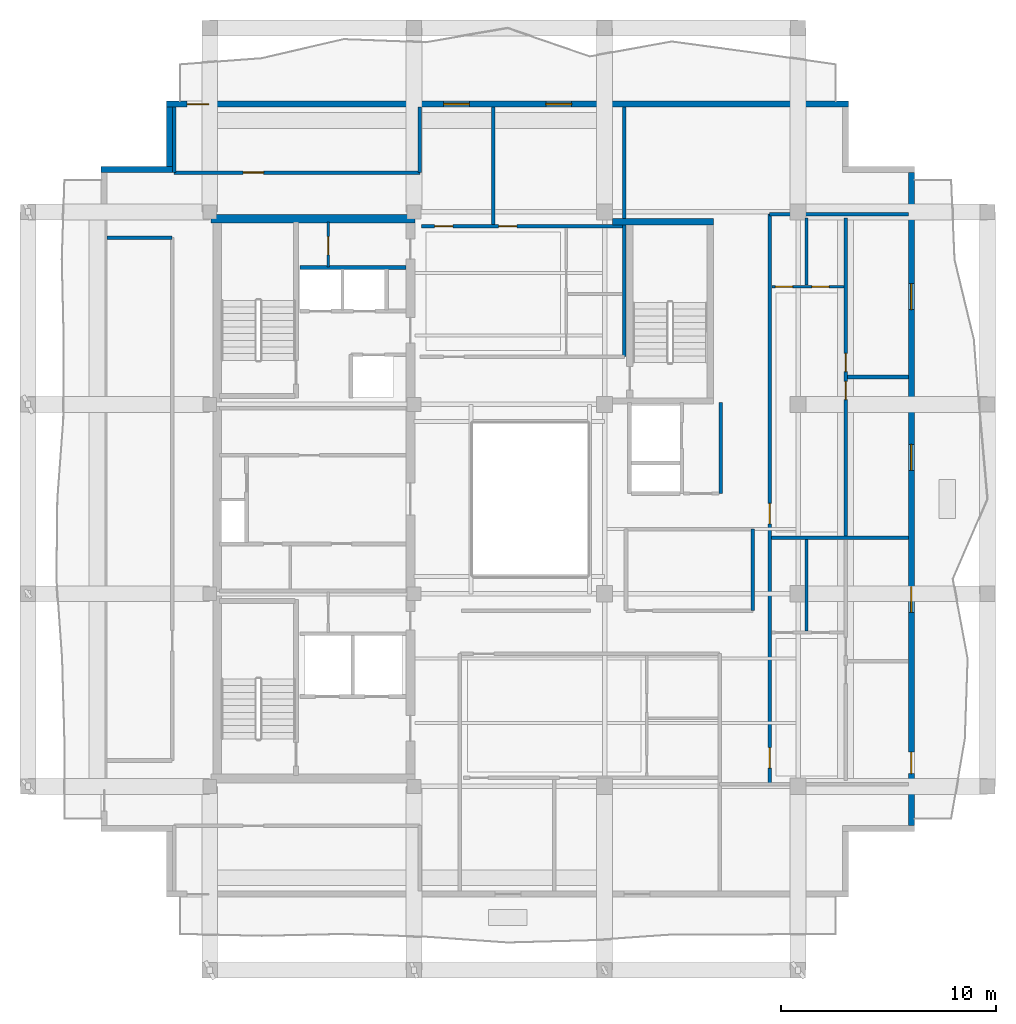
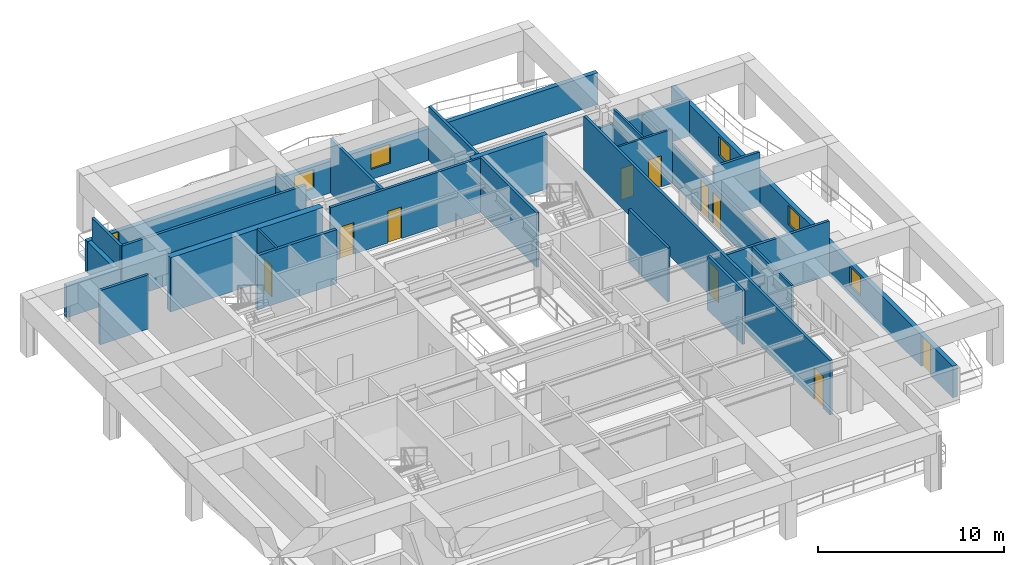
# One storey, part 5 of 10: 25 walls, 12 doors, 5 windows, 17 openings.
"""IFC4 building model written with IfcOpenShell, lengths in metres."""

from ifc_helpers import new_model, si_unit, direction, frame, frame_2d, origin, place, context, subcontext, project, spatial, rectangle, extrude, material, layer, layer_set, type_object, element, fill, save


model = new_model("IFC4")

# Units and contexts
model_context = context("Model", 3, precision=1e-05, world=origin(), true_north=direction((0.0, 1.0)))
body_context = subcontext(model_context, "Body", "Model", "MODEL_VIEW")
ifc_project = project(units=[si_unit("LENGTHUNIT", "METRE"), si_unit("AREAUNIT", "SQUARE_METRE"), si_unit("VOLUMEUNIT", "CUBIC_METRE"), si_unit("PLANEANGLEUNIT", "RADIAN"), si_unit("MASSUNIT", "GRAM", prefix="KILO")], contexts=[model_context])

# Site, building, storey
site_placement = place(None, origin())
site = spatial("IfcSite", under=ifc_project, at=site_placement, CompositionType="ELEMENT")
building_placement = place(site_placement, origin())
building = spatial("IfcBuilding", under=site, at=building_placement, Name="Kundavana Baori Tower", CompositionType="ELEMENT")
storey_placement = place(building_placement, frame((0.0, 0.0, 323.89990234375)))
storey = spatial("IfcBuildingStorey", under=building, at=storey_placement, Name="L80", CompositionType="ELEMENT", Elevation=323.89990234375)

# Wall
ifc_material_1 = material(Name="Concrete C50/60", Category="concrete")
ifc_layer_1 = layer(ifc_material_1, 0.39990234375, Name="WL-CORE-400")
ifc_layer_set_1 = layer_set([ifc_layer_1], Name="Concrete C50/60")
wall_type_1 = type_object("IfcWallType", Name="WL-CORE-400", PredefinedType="SHEAR", material=ifc_layer_set_1)
wall_1_placement = place(storey_placement, frame((15.5, 41.639892578125, 0.0), z_axis=(0.0, 0.0, 1.0), x_axis=(1.0, 0.0, 0.0)))
element("IfcWall", 1, at=wall_1_placement, inside=storey, type_object=wall_type_1, Name="L80 Offset Core North Shear Wall", PredefinedType="SHEAR", context=body_context, shape_type="SweptSolid", body=[
    extrude(rectangle(XDim=9.47998046875, YDim=0.39990234375, at=frame_2d((4.739990234375, 0.0))), origin(), (0.0, 0.0, 1.0), 3.56005859375),
])

# Wall, openings, door, windows
ifc_material_2 = material(Name="Red-Buff Dholpur Sandstone Cladding on Concrete C40/50", Category="masonry")
ifc_layer_2 = layer(ifc_material_2, 0.280029296875, Name="WL-EXT-SAND-280")
ifc_layer_set_2 = layer_set([ifc_layer_2], Name="Red-Buff Dholpur Sandstone Cladding on Concrete C40/50")
wall_type_2 = type_object("IfcWallType", Name="WL-EXT-SAND-280", PredefinedType="STANDARD", material=ifc_layer_set_2)
wall_2_placement = place(storey_placement, frame((48.06005859375, 13.429931640625, 0.0), z_axis=(0.0, 0.0, 1.0), x_axis=(0.0, 1.0, 0.0)))
wall_2 = element("IfcWall", 2, at=wall_2_placement, inside=storey, type_object=wall_type_2, Name="L80 Exterior Insulated Facade Wall 04", PredefinedType="STANDARD", context=body_context, shape_type="SweptSolid", body=[
    extrude(rectangle(XDim=30.340087890625, YDim=0.280029296875, at=frame_2d((15.169921875, 0.0))), origin(), (0.0, 0.0, 1.0), 2.080078125),
])
opening_1_placement = place(wall_2_placement, frame((2.409912109375, 0.0, 0.0)))
opening_1 = element("IfcOpeningElement", 3, at=opening_1_placement, cuts=wall_2, Name="Opening BD-1", PredefinedType="OPENING", context=body_context, shape_type="SweptSolid", body=[
    extrude(rectangle(XDim=1.0, YDim=2.050048828125, at=frame_2d((0.5, 1.02490234375))), frame((0.0, 0.14990234375, 0.0), z_axis=(0.0, -1.0, 0.0), x_axis=(1.0, 0.0, 0.0)), (0.0, 0.0, 1.0), 0.300048828125),
])
opening_2_placement = place(wall_2_placement, frame((9.905029296875, 0.0, 0.64990234375)))
opening_2 = element("IfcOpeningElement", 4, at=opening_2_placement, cuts=wall_2, Name="Opening W-12", PredefinedType="OPENING", context=body_context, shape_type="SweptSolid", body=[
    extrude(rectangle(XDim=1.199951171875, YDim=1.25, at=frame_2d((0.60009765625, 0.625))), frame((0.0, 0.14990234375, 0.0), z_axis=(0.0, -1.0, 0.0), x_axis=(1.0, 0.0, 0.0)), (0.0, 0.0, 1.0), 0.300048828125),
])
opening_3_placement = place(wall_2_placement, frame((16.508056640625, 0.0, 0.64990234375)))
opening_3 = element("IfcOpeningElement", 5, at=opening_3_placement, cuts=wall_2, Name="Opening W-12", PredefinedType="OPENING", context=body_context, shape_type="SweptSolid", body=[
    extrude(rectangle(XDim=1.199951171875, YDim=1.25, at=frame_2d((0.60009765625, 0.625))), frame((0.0, 0.14990234375, 0.0), z_axis=(0.0, -1.0, 0.0), x_axis=(1.0, 0.0, 0.0)), (0.0, 0.0, 1.0), 0.300048828125),
])
opening_4_placement = place(wall_2_placement, frame((23.98291015625, 0.0, 0.64990234375)))
opening_4 = element("IfcOpeningElement", 6, at=opening_4_placement, cuts=wall_2, Name="Opening W-12", PredefinedType="OPENING", context=body_context, shape_type="SweptSolid", body=[
    extrude(rectangle(XDim=1.199951171875, YDim=1.25, at=frame_2d((0.60009765625, 0.625))), frame((0.0, 0.14990234375, 0.0), z_axis=(0.0, -1.0, 0.0), x_axis=(1.0, 0.0, 0.0)), (0.0, 0.0, 1.0), 0.300048828125),
])
ifc_material_3 = material(Name="Architectural Patinated Bronze Metalwork")
door_type_1 = type_object("IfcDoorType", Name="DR-EXT-LOG-1000", OperationType="NOTDEFINED", PredefinedType="DOOR", material=ifc_material_3)
door_1_placement = place(opening_1_placement, frame((1.0, 0.0, 0.0), z_axis=(0.0, 0.0, 1.0), x_axis=(-1.0, 0.0, 0.0)))
door_1 = element("IfcDoor", 7, at=door_1_placement, inside=storey, type_object=door_type_1, Name="L80 Loggia Balcony Access Door E", OperationType="SINGLE_SWING_RIGHT", OverallHeight=2.050048828125, OverallWidth=1.0, PredefinedType="DOOR", context=body_context, shape_type="SweptSolid", body=[
    extrude(rectangle(XDim=1.0, YDim=2.050048828125, at=frame_2d((0.5, 1.02490234375))), frame((0.0, 0.02490234375, 0.0), z_axis=(0.0, -1.0, 0.0), x_axis=(1.0, 0.0, 0.0)), (0.0, 0.0, 1.0), 0.050048828125),
])
fill(opening_1, door_1)
ifc_material_4 = material(Name="Double-Glazed Solar-Control Low-E Insulated Glass", Category="glass")
window_type = type_object("IfcWindowType", Name="WIN-TRN-1200x1250", PartitioningType="SINGLE_PANEL", PredefinedType="WINDOW", material=ifc_material_4)
window_1_placement = place(opening_2_placement, origin())
window_1 = element("IfcWindow", 8, at=window_1_placement, inside=storey, type_object=window_type, Name="L80 Dwelling Outlook Window DW-5", OverallHeight=1.25, OverallWidth=1.199951171875, PartitioningType="SINGLE_PANEL", PredefinedType="WINDOW", context=body_context, shape_type="SweptSolid", body=[
    extrude(rectangle(XDim=1.199951171875, YDim=1.25, at=frame_2d((0.60009765625, 0.625))), frame((0.0, 0.030029296875, 0.0), z_axis=(0.0, -1.0, 0.0), x_axis=(1.0, 0.0, 0.0)), (0.0, 0.0, 1.0), 0.06005859375),
])
fill(opening_2, window_1)
window_2_placement = place(opening_3_placement, origin())
window_2 = element("IfcWindow", 9, at=window_2_placement, inside=storey, type_object=window_type, Name="L80 Dwelling Outlook Window DW-6", OverallHeight=1.25, OverallWidth=1.199951171875, PartitioningType="SINGLE_PANEL", PredefinedType="WINDOW", context=body_context, shape_type="SweptSolid", body=[
    extrude(rectangle(XDim=1.199951171875, YDim=1.25, at=frame_2d((0.60009765625, 0.625))), frame((0.0, 0.030029296875, 0.0), z_axis=(0.0, -1.0, 0.0), x_axis=(1.0, 0.0, 0.0)), (0.0, 0.0, 1.0), 0.06005859375),
])
fill(opening_3, window_2)
window_3_placement = place(opening_4_placement, origin())
window_3 = element("IfcWindow", 10, at=window_3_placement, inside=storey, type_object=window_type, Name="L80 Dwelling Outlook Window DW-7", OverallHeight=1.25, OverallWidth=1.199951171875, PartitioningType="SINGLE_PANEL", PredefinedType="WINDOW", context=body_context, shape_type="SweptSolid", body=[
    extrude(rectangle(XDim=1.199951171875, YDim=1.25, at=frame_2d((0.60009765625, 0.625))), frame((0.0, 0.030029296875, 0.0), z_axis=(0.0, -1.0, 0.0), x_axis=(1.0, 0.0, 0.0)), (0.0, 0.0, 1.0), 0.06005859375),
])
fill(opening_4, window_3)

wall_3_placement = place(storey_placement, frame((45.14990234375, 46.9599609375, 0.0), z_axis=(0.0, 0.0, 1.0), x_axis=(-1.0, 0.0, 0.0)))
wall_3 = element("IfcWall", 11, at=wall_3_placement, inside=storey, type_object=wall_type_2, Name="L80 Exterior Insulated Facade Wall 07", PredefinedType="STANDARD", context=body_context, shape_type="SweptSolid", body=[
    extrude(rectangle(XDim=31.699951171875, YDim=0.280029296875, at=frame_2d((15.85009765625, 0.0))), origin(), (0.0, 0.0, 1.0), 2.080078125),
])
opening_5_placement = place(wall_3_placement, frame((29.75, 0.0, 0.0)))
opening_5 = element("IfcOpeningElement", 12, at=opening_5_placement, cuts=wall_3, Name="Opening BD-1", PredefinedType="OPENING", context=body_context, shape_type="SweptSolid", body=[
    extrude(rectangle(XDim=1.0, YDim=2.050048828125, at=frame_2d((0.5, 1.02490234375))), frame((0.0, 0.14990234375, 0.0), z_axis=(0.0, -1.0, 0.0), x_axis=(1.0, 0.0, 0.0)), (0.0, 0.0, 1.0), 0.300048828125),
])
opening_6_placement = place(wall_3_placement, frame((17.6279296875, 0.0, 0.64990234375)))
opening_6 = element("IfcOpeningElement", 13, at=opening_6_placement, cuts=wall_3, Name="Opening W-12", PredefinedType="OPENING", context=body_context, shape_type="SweptSolid", body=[
    extrude(rectangle(XDim=1.199951171875, YDim=1.25, at=frame_2d((0.60009765625, 0.625))), frame((0.0, 0.14990234375, 0.0), z_axis=(0.0, -1.0, 0.0), x_axis=(1.0, 0.0, 0.0)), (0.0, 0.0, 1.0), 0.300048828125),
])
opening_7_placement = place(wall_3_placement, frame((12.8779296875, 0.0, 0.64990234375)))
opening_7 = element("IfcOpeningElement", 14, at=opening_7_placement, cuts=wall_3, Name="Opening W-12", PredefinedType="OPENING", context=body_context, shape_type="SweptSolid", body=[
    extrude(rectangle(XDim=1.199951171875, YDim=1.25, at=frame_2d((0.60009765625, 0.625))), frame((0.0, 0.14990234375, 0.0), z_axis=(0.0, -1.0, 0.0), x_axis=(1.0, 0.0, 0.0)), (0.0, 0.0, 1.0), 0.300048828125),
])
door_2_placement = place(opening_5_placement, frame((1.0, 0.0, 0.0), z_axis=(0.0, 0.0, 1.0), x_axis=(-1.0, 0.0, 0.0)))
door_2 = element("IfcDoor", 15, at=door_2_placement, inside=storey, type_object=door_type_1, Name="L80 Loggia Balcony Access Door N", OperationType="SINGLE_SWING_LEFT", OverallHeight=2.050048828125, OverallWidth=1.0, PredefinedType="DOOR", context=body_context, shape_type="SweptSolid", body=[
    extrude(rectangle(XDim=1.0, YDim=2.050048828125, at=frame_2d((0.5, 1.02490234375))), frame((0.0, 0.02490234375, 0.0), z_axis=(0.0, -1.0, 0.0), x_axis=(1.0, 0.0, 0.0)), (0.0, 0.0, 1.0), 0.050048828125),
])
fill(opening_5, door_2)
window_4_placement = place(opening_6_placement, origin())
window_4 = element("IfcWindow", 16, at=window_4_placement, inside=storey, type_object=window_type, Name="L80 Dwelling Outlook Window DW-3", OverallHeight=1.25, OverallWidth=1.199951171875, PartitioningType="SINGLE_PANEL", PredefinedType="WINDOW", context=body_context, shape_type="SweptSolid", body=[
    extrude(rectangle(XDim=1.199951171875, YDim=1.25, at=frame_2d((0.60009765625, 0.625))), frame((0.0, 0.030029296875, 0.0), z_axis=(0.0, -1.0, 0.0), x_axis=(1.0, 0.0, 0.0)), (0.0, 0.0, 1.0), 0.06005859375),
])
fill(opening_6, window_4)
window_5_placement = place(opening_7_placement, origin())
window_5 = element("IfcWindow", 17, at=window_5_placement, inside=storey, type_object=window_type, Name="L80 Dwelling Outlook Window DW-4", OverallHeight=1.25, OverallWidth=1.199951171875, PartitioningType="SINGLE_PANEL", PredefinedType="WINDOW", context=body_context, shape_type="SweptSolid", body=[
    extrude(rectangle(XDim=1.199951171875, YDim=1.25, at=frame_2d((0.60009765625, 0.625))), frame((0.0, 0.030029296875, 0.0), z_axis=(0.0, -1.0, 0.0), x_axis=(1.0, 0.0, 0.0)), (0.0, 0.0, 1.0), 0.06005859375),
])
fill(opening_7, window_5)

# Walls
wall_4_placement = place(storey_placement, frame((13.590087890625, 46.820068359375, 0.0), z_axis=(0.0, 0.0, 1.0), x_axis=(0.0, -1.0, 0.0)))
element("IfcWall", 18, at=wall_4_placement, inside=storey, type_object=wall_type_2, Name="L80 Exterior Insulated Facade Wall 08", PredefinedType="STANDARD", context=body_context, shape_type="SweptSolid", body=[
    extrude(rectangle(XDim=2.77001953125, YDim=0.280029296875, at=frame_2d((1.385009765625, 0.0))), origin(), (0.0, 0.0, 1.0), 2.080078125),
])
wall_5_placement = place(storey_placement, frame((13.72998046875, 43.909912109375, 0.0), z_axis=(0.0, 0.0, 1.0), x_axis=(-1.0, 0.0, 0.0)))
element("IfcWall", 19, at=wall_5_placement, inside=storey, type_object=wall_type_2, Name="L80 Exterior Insulated Facade Wall 09", PredefinedType="STANDARD", context=body_context, shape_type="SweptSolid", body=[
    extrude(rectangle(XDim=3.330078125, YDim=0.280029296875, at=frame_2d((1.6650390625, 0.0))), origin(), (0.0, 0.0, 1.0), 2.080078125),
])

# Wall, opening, door
ifc_material_5 = material(Name="Acoustic Gypsum Plasterboard on Galvanised Steel Studs", Category="steel")
ifc_layer_3 = layer(ifc_material_5, 0.1201171875, Name="WL-PART-120")
ifc_layer_set_3 = layer_set([ifc_layer_3], Name="Acoustic Gypsum Plasterboard on Galvanised Steel Studs")
wall_type_3 = type_object("IfcWallType", Name="WL-PART-120", PredefinedType="PARTITIONING", material=ifc_layer_set_3)
wall_6_placement = place(storey_placement, frame((20.949951171875, 39.39990234375, 0.0), z_axis=(0.0, 0.0, 1.0), x_axis=(0.0, 1.0, 0.0)))
wall_6 = element("IfcWall", 20, at=wall_6_placement, inside=storey, type_object=wall_type_3, Name="WL-L80-CSRV-D2", PredefinedType="PARTITIONING", context=body_context, shape_type="SweptSolid", body=[
    extrude(rectangle(XDim=2.080078125, YDim=0.1201171875, at=frame_2d((1.0400390625, 0.0))), origin(), (0.0, 0.0, 1.0), 3.56005859375),
])
opening_8_placement = place(wall_6_placement, frame((0.550048828125, 0.0, 0.0)))
opening_8 = element("IfcOpeningElement", 21, at=opening_8_placement, cuts=wall_6, Name="Opening FD-085", PredefinedType="OPENING", context=body_context, shape_type="SweptSolid", body=[
    extrude(rectangle(XDim=0.85009765625, YDim=2.06005859375, at=frame_2d((0.425048828125, 1.030029296875))), frame((0.0, 0.070068359375, 0.0), z_axis=(0.0, -1.0, 0.0), x_axis=(1.0, 0.0, 0.0)), (0.0, 0.0, 1.0), 0.14013671875),
])
ifc_material_6 = material(Name="Galvanised Steel Fire-Rated Door Leaf", Category="steel")
door_type_2 = type_object("IfcDoorType", Name="DR-FD60-850", OperationType="NOTDEFINED", PredefinedType="DOOR", material=ifc_material_6)
door_3_placement = place(opening_8_placement, origin())
door_3 = element("IfcDoor", 22, at=door_3_placement, inside=storey, type_object=door_type_2, Name="DR-L80-CSRV1", OperationType="SINGLE_SWING_RIGHT", OverallHeight=2.06005859375, OverallWidth=0.85009765625, PredefinedType="DOOR", context=body_context, shape_type="SweptSolid", body=[
    extrude(rectangle(XDim=0.85009765625, YDim=2.06005859375, at=frame_2d((0.425048828125, 1.030029296875))), frame((0.0, 0.02490234375, 0.0), z_axis=(0.0, -1.0, 0.0), x_axis=(1.0, 0.0, 0.0)), (0.0, 0.0, 1.0), 0.050048828125),
])
fill(opening_8, door_3)

# Wall
ifc_material_7 = material(Name="Fire-Rated Gypsum Drywall on Galvanised Steel Studs", Category="steel")
ifc_layer_4 = layer(ifc_material_7, 0.14990234375, Name="WL-PART-150")
ifc_layer_set_4 = layer_set([ifc_layer_4], Name="Fire-Rated Gypsum Drywall on Galvanised Steel Studs")
wall_type_4 = type_object("IfcWallType", Name="WL-PART-150", PredefinedType="PARTITIONING", material=ifc_layer_set_4)
wall_7_placement = place(storey_placement, frame((39.199951171875, 28.860107421875, 0.0), z_axis=(0.0, 0.0, 1.0), x_axis=(0.0, 1.0, 0.0)))
element("IfcWall", 23, at=wall_7_placement, inside=storey, type_object=wall_type_4, Name="WL-L80-SVLOB-E", PredefinedType="PARTITIONING", context=body_context, shape_type="SweptSolid", body=[
    extrude(rectangle(XDim=4.219970703125, YDim=0.14990234375, at=frame_2d((2.10986328125, 0.0))), origin(), (0.0, 0.0, 1.0), 3.56005859375),
])

# Wall, opening, door
ifc_material_8 = material(Name="Fire-Rated Gypsum Drywall on Galvanised Steel Studs", Category="steel")
ifc_layer_5 = layer(ifc_material_8, 0.1650390625, Name="WL-PART-165")
ifc_layer_set_5 = layer_set([ifc_layer_5], Name="Fire-Rated Gypsum Drywall on Galvanised Steel Studs")
wall_type_5 = type_object("IfcWallType", Name="WL-PART-165", PredefinedType="PARTITIONING", material=ifc_layer_set_5)
wall_8_placement = place(storey_placement, frame((13.800048828125, 43.780029296875, 0.0), z_axis=(0.0, 0.0, 1.0), x_axis=(1.0, 0.0, 0.0)))
wall_8 = element("IfcWall", 24, at=wall_8_placement, inside=storey, type_object=wall_type_5, Name="WL-L80-RNC", PredefinedType="PARTITIONING", context=body_context, shape_type="SweptSolid", body=[
    extrude(rectangle(XDim=11.419921875, YDim=0.1650390625, at=frame_2d((5.7099609375, 0.0))), origin(), (0.0, 0.0, 1.0), 3.56005859375),
])
opening_9_placement = place(wall_8_placement, frame((3.199951171875, 0.0, 0.0)))
opening_9 = element("IfcOpeningElement", 25, at=opening_9_placement, cuts=wall_8, Name="Opening ID-095", PredefinedType="OPENING", context=body_context, shape_type="SweptSolid", body=[
    extrude(rectangle(XDim=0.949951171875, YDim=2.080078125, at=frame_2d((0.47509765625, 1.0400390625))), frame((0.0, 0.092529296875, 0.0), z_axis=(0.0, -1.0, 0.0), x_axis=(1.0, 0.0, 0.0)), (0.0, 0.0, 1.0), 0.18505859375),
])
ifc_material_9 = material(Name="Engineered Teak Solid-Core Timber Veneer", Category="wood")
door_type_3 = type_object("IfcDoorType", Name="DR-INT-950", OperationType="NOTDEFINED", PredefinedType="DOOR", material=ifc_material_9)
door_4_placement = place(opening_9_placement, origin())
door_4 = element("IfcDoor", 26, at=door_4_placement, inside=storey, type_object=door_type_3, Name="DR-L80-RMNW", OperationType="SINGLE_SWING_RIGHT", OverallHeight=2.080078125, OverallWidth=0.949951171875, PredefinedType="DOOR", context=body_context, shape_type="SweptSolid", body=[
    extrude(rectangle(XDim=0.949951171875, YDim=2.080078125, at=frame_2d((0.47509765625, 1.0400390625))), frame((0.0, 0.02490234375, 0.0), z_axis=(0.0, -1.0, 0.0), x_axis=(1.0, 0.0, 0.0)), (0.0, 0.0, 1.0), 0.050048828125),
])
fill(opening_9, door_4)

# Walls
wall_9_placement = place(storey_placement, frame((13.800048828125, 43.780029296875, 0.0), z_axis=(0.0, 0.0, 1.0), x_axis=(0.0, 1.0, 0.0)))
element("IfcWall", 27, at=wall_9_placement, inside=storey, type_object=wall_type_5, Name="WL-L80-RNCW", PredefinedType="PARTITIONING", context=body_context, shape_type="SweptSolid", body=[
    extrude(rectangle(XDim=3.0400390625, YDim=0.1650390625, at=frame_2d((1.52001953125, 0.0))), origin(), (0.0, 0.0, 1.0), 3.56005859375),
])
wall_10_placement = place(storey_placement, frame((25.219970703125, 43.780029296875, 0.0), z_axis=(0.0, 0.0, 1.0), x_axis=(0.0, 1.0, 0.0)))
element("IfcWall", 28, at=wall_10_placement, inside=storey, type_object=wall_type_5, Name="WL-L80-RNCE", PredefinedType="PARTITIONING", context=body_context, shape_type="SweptSolid", body=[
    extrude(rectangle(XDim=3.0400390625, YDim=0.1650390625, at=frame_2d((1.52001953125, 0.0))), origin(), (0.0, 0.0, 1.0), 2.47998046875),
])
wall_11_placement = place(storey_placement, frame((10.679931640625, 40.75, 0.0), z_axis=(0.0, 0.0, 1.0), x_axis=(1.0, 0.0, 0.0)))
element("IfcWall", 29, at=wall_11_placement, inside=storey, type_object=wall_type_5, Name="WL-L80-RWN", PredefinedType="PARTITIONING", context=body_context, shape_type="SweptSolid", body=[
    extrude(rectangle(XDim=3.02001953125, YDim=0.1650390625, at=frame_2d((1.510009765625, 0.0))), origin(), (0.0, 0.0, 1.0), 3.56005859375),
])
wall_12_placement = place(storey_placement, frame((34.719970703125, 35.219970703125, 0.0), z_axis=(0.0, 0.0, 1.0), x_axis=(0.0, 1.0, 0.0)))
element("IfcWall", 30, at=wall_12_placement, inside=storey, type_object=wall_type_5, Name="WL-L80-RNEND", PredefinedType="PARTITIONING", context=body_context, shape_type="SweptSolid", body=[
    extrude(rectangle(XDim=11.60009765625, YDim=0.1650390625, at=frame_2d((5.800048828125, 0.0))), origin(), (0.0, 0.0, 1.0), 3.56005859375),
])

# Wall, openings, doors
wall_13_placement = place(storey_placement, frame((25.300048828125, 41.2900390625, 0.0), z_axis=(0.0, 0.0, 1.0), x_axis=(1.0, 0.0, 0.0)))
wall_13 = element("IfcWall", 31, at=wall_13_placement, inside=storey, type_object=wall_type_5, Name="WL-L80-N1-HZ", PredefinedType="PARTITIONING", context=body_context, shape_type="SweptSolid", body=[
    extrude(rectangle(XDim=9.33984375, YDim=0.1650390625, at=frame_2d((4.669921875, 0.0))), origin(), (0.0, 0.0, 1.0), 3.56005859375),
])
opening_10_placement = place(wall_13_placement, frame((0.60009765625, 0.0, 0.0)))
opening_10 = element("IfcOpeningElement", 32, at=opening_10_placement, cuts=wall_13, Name="Opening ID-085", PredefinedType="OPENING", context=body_context, shape_type="SweptSolid", body=[
    extrude(rectangle(XDim=0.85009765625, YDim=2.080078125, at=frame_2d((0.425048828125, 1.0400390625))), frame((0.0, 0.092529296875, 0.0), z_axis=(0.0, -1.0, 0.0), x_axis=(1.0, 0.0, 0.0)), (0.0, 0.0, 1.0), 0.18505859375),
])
opening_11_placement = place(wall_13_placement, frame((3.572998046875, 0.0, 0.0)))
opening_11 = element("IfcOpeningElement", 33, at=opening_11_placement, cuts=wall_13, Name="Opening ID-085", PredefinedType="OPENING", context=body_context, shape_type="SweptSolid", body=[
    extrude(rectangle(XDim=0.85009765625, YDim=2.080078125, at=frame_2d((0.425048828125, 1.0400390625))), frame((0.0, 0.092529296875, 0.0), z_axis=(0.0, -1.0, 0.0), x_axis=(1.0, 0.0, 0.0)), (0.0, 0.0, 1.0), 0.18505859375),
])
ifc_material_10 = material(Name="Engineered Teak Solid-Core Timber Veneer", Category="wood")
door_type_4 = type_object("IfcDoorType", Name="DR-INT-850", OperationType="NOTDEFINED", PredefinedType="DOOR", material=ifc_material_10)
door_5_placement = place(opening_10_placement, origin())
door_5 = element("IfcDoor", 34, at=door_5_placement, inside=storey, type_object=door_type_4, Name="DR-L80-N1-B1", OperationType="SINGLE_SWING_LEFT", OverallHeight=2.080078125, OverallWidth=0.85009765625, PredefinedType="DOOR", context=body_context, shape_type="SweptSolid", body=[
    extrude(rectangle(XDim=0.85009765625, YDim=2.080078125, at=frame_2d((0.425048828125, 1.0400390625))), frame((0.0, 0.02490234375, 0.0), z_axis=(0.0, -1.0, 0.0), x_axis=(1.0, 0.0, 0.0)), (0.0, 0.0, 1.0), 0.050048828125),
])
fill(opening_10, door_5)
door_6_placement = place(opening_11_placement, origin())
door_6 = element("IfcDoor", 35, at=door_6_placement, inside=storey, type_object=door_type_4, Name="DR-L80-N1-B2", OperationType="SINGLE_SWING_RIGHT", OverallHeight=2.080078125, OverallWidth=0.85009765625, PredefinedType="DOOR", context=body_context, shape_type="SweptSolid", body=[
    extrude(rectangle(XDim=0.85009765625, YDim=2.080078125, at=frame_2d((0.425048828125, 1.0400390625))), frame((0.0, 0.02490234375, 0.0), z_axis=(0.0, -1.0, 0.0), x_axis=(1.0, 0.0, 0.0)), (0.0, 0.0, 1.0), 0.050048828125),
])
fill(opening_11, door_6)

# Wall
wall_14_placement = place(storey_placement, frame((28.623046875, 41.3701171875, 0.0), z_axis=(0.0, 0.0, 1.0), x_axis=(0.0, 1.0, 0.0)))
element("IfcWall", 36, at=wall_14_placement, inside=storey, type_object=wall_type_5, Name="WL-L80-N1-BDV", PredefinedType="PARTITIONING", context=body_context, shape_type="SweptSolid", body=[
    extrude(rectangle(XDim=5.449951171875, YDim=0.1650390625, at=frame_2d((2.72509765625, 0.0))), origin(), (0.0, 0.0, 1.0), 3.56005859375),
])

# Wall, openings, doors
wall_15_placement = place(storey_placement, frame((41.47998046875, 15.35009765625, 0.0), z_axis=(0.0, 0.0, 1.0), x_axis=(0.0, 1.0, 0.0)))
wall_15 = element("IfcWall", 37, at=wall_15_placement, inside=storey, type_object=wall_type_5, Name="WL-L80-RE", PredefinedType="PARTITIONING", context=body_context, shape_type="SweptSolid", body=[
    extrude(rectangle(XDim=26.5, YDim=0.1650390625, at=frame_2d((13.25, 0.0))), origin(), (0.0, 0.0, 1.0), 3.56005859375),
])
opening_12_placement = place(wall_15_placement, frame((0.75, 0.0, 0.0)))
opening_12 = element("IfcOpeningElement", 38, at=opening_12_placement, cuts=wall_15, Name="Opening FD-095", PredefinedType="OPENING", context=body_context, shape_type="SweptSolid", body=[
    extrude(rectangle(XDim=0.949951171875, YDim=2.10009765625, at=frame_2d((0.47509765625, 1.050048828125))), frame((0.0, 0.092529296875, 0.0), z_axis=(0.0, -1.0, 0.0), x_axis=(1.0, 0.0, 0.0)), (0.0, 0.0, 1.0), 0.18505859375),
])
opening_13_placement = place(wall_15_placement, frame((12.10009765625, 0.0, 0.0)))
opening_13 = element("IfcOpeningElement", 39, at=opening_13_placement, cuts=wall_15, Name="Opening FD-095", PredefinedType="OPENING", context=body_context, shape_type="SweptSolid", body=[
    extrude(rectangle(XDim=0.949951171875, YDim=2.10009765625, at=frame_2d((0.47509765625, 1.050048828125))), frame((0.0, 0.092529296875, 0.0), z_axis=(0.0, -1.0, 0.0), x_axis=(1.0, 0.0, 0.0)), (0.0, 0.0, 1.0), 0.18505859375),
])
ifc_material_11 = material(Name="Engineered Teak Fire-Rated Timber Door Leaf", Category="wood")
door_type_5 = type_object("IfcDoorType", Name="DR-FD60-950", OperationType="NOTDEFINED", PredefinedType="DOOR", material=ifc_material_11)
door_7_placement = place(opening_12_placement, origin())
door_7 = element("IfcDoor", 40, at=door_7_placement, inside=storey, type_object=door_type_5, Name="DR-L80-E1-ENT", OperationType="SINGLE_SWING_LEFT", OverallHeight=2.10009765625, OverallWidth=0.949951171875, PredefinedType="DOOR", context=body_context, shape_type="SweptSolid", body=[
    extrude(rectangle(XDim=0.949951171875, YDim=2.10009765625, at=frame_2d((0.47509765625, 1.050048828125))), frame((0.0, 0.02490234375, 0.0), z_axis=(0.0, -1.0, 0.0), x_axis=(1.0, 0.0, 0.0)), (0.0, 0.0, 1.0), 0.050048828125),
])
fill(opening_12, door_7)
door_8_placement = place(opening_13_placement, origin())
door_8 = element("IfcDoor", 41, at=door_8_placement, inside=storey, type_object=door_type_5, Name="DR-L80-E2-ENT", OperationType="SINGLE_SWING_LEFT", OverallHeight=2.10009765625, OverallWidth=0.949951171875, PredefinedType="DOOR", context=body_context, shape_type="SweptSolid", body=[
    extrude(rectangle(XDim=0.949951171875, YDim=2.10009765625, at=frame_2d((0.47509765625, 1.050048828125))), frame((0.0, 0.02490234375, 0.0), z_axis=(0.0, -1.0, 0.0), x_axis=(1.0, 0.0, 0.0)), (0.0, 0.0, 1.0), 0.050048828125),
])
fill(opening_13, door_8)

# Walls
wall_16_placement = place(storey_placement, frame((41.47998046875, 41.85009765625, 0.0), z_axis=(0.0, 0.0, 1.0), x_axis=(1.0, 0.0, 0.0)))
element("IfcWall", 42, at=wall_16_placement, inside=storey, type_object=wall_type_5, Name="WL-L80-REN", PredefinedType="PARTITIONING", context=body_context, shape_type="SweptSolid", body=[
    extrude(rectangle(XDim=6.43994140625, YDim=0.1650390625, at=frame_2d((3.219970703125, 0.0))), origin(), (0.0, 0.0, 1.0), 2.47998046875),
])
wall_17_placement = place(storey_placement, frame((41.56005859375, 26.800048828125, 0.0), z_axis=(0.0, 0.0, 1.0), x_axis=(1.0, 0.0, 0.0)))
element("IfcWall", 43, at=wall_17_placement, inside=storey, type_object=wall_type_5, Name="WL-L80-RED1", PredefinedType="PARTITIONING", context=body_context, shape_type="SweptSolid", body=[
    extrude(rectangle(XDim=6.35986328125, YDim=0.1650390625, at=frame_2d((3.179931640625, 0.0))), origin(), (0.0, 0.0, 1.0), 3.56005859375),
])

# Wall, openings, doors
wall_18_placement = place(storey_placement, frame((45.00390625, 26.8798828125, 0.0), z_axis=(0.0, 0.0, 1.0), x_axis=(0.0, 1.0, 0.0)))
wall_18 = element("IfcWall", 44, at=wall_18_placement, inside=storey, type_object=wall_type_5, Name="WL-L80-E2-VT", PredefinedType="PARTITIONING", context=body_context, shape_type="SweptSolid", body=[
    extrude(rectangle(XDim=14.7900390625, YDim=0.1650390625, at=frame_2d((7.39501953125, 0.0))), origin(), (0.0, 0.0, 1.0), 2.47998046875),
])
opening_14_placement = place(wall_18_placement, frame((6.344970703125, 0.0, 0.0)))
opening_14 = element("IfcOpeningElement", 45, at=opening_14_placement, cuts=wall_18, Name="Opening ID-085", PredefinedType="OPENING", context=body_context, shape_type="SweptSolid", body=[
    extrude(rectangle(XDim=0.85009765625, YDim=2.080078125, at=frame_2d((0.425048828125, 1.0400390625))), frame((0.0, 0.092529296875, 0.0), z_axis=(0.0, -1.0, 0.0), x_axis=(1.0, 0.0, 0.0)), (0.0, 0.0, 1.0), 0.18505859375),
])
opening_15_placement = place(wall_18_placement, frame((7.64501953125, 0.0, 0.0)))
opening_15 = element("IfcOpeningElement", 46, at=opening_15_placement, cuts=wall_18, Name="Opening ID-085", PredefinedType="OPENING", context=body_context, shape_type="SweptSolid", body=[
    extrude(rectangle(XDim=0.85009765625, YDim=2.080078125, at=frame_2d((0.425048828125, 1.0400390625))), frame((0.0, 0.092529296875, 0.0), z_axis=(0.0, -1.0, 0.0), x_axis=(1.0, 0.0, 0.0)), (0.0, 0.0, 1.0), 0.18505859375),
])
door_9_placement = place(opening_14_placement, origin())
door_9 = element("IfcDoor", 47, at=door_9_placement, inside=storey, type_object=door_type_4, Name="DR-L80-E2-B1", OperationType="SINGLE_SWING_LEFT", OverallHeight=2.080078125, OverallWidth=0.85009765625, PredefinedType="DOOR", context=body_context, shape_type="SweptSolid", body=[
    extrude(rectangle(XDim=0.85009765625, YDim=2.080078125, at=frame_2d((0.425048828125, 1.0400390625))), frame((0.0, 0.02490234375, 0.0), z_axis=(0.0, -1.0, 0.0), x_axis=(1.0, 0.0, 0.0)), (0.0, 0.0, 1.0), 0.050048828125),
])
fill(opening_14, door_9)
door_10_placement = place(opening_15_placement, origin())
door_10 = element("IfcDoor", 48, at=door_10_placement, inside=storey, type_object=door_type_4, Name="DR-L80-E2-B2", OperationType="SINGLE_SWING_RIGHT", OverallHeight=2.080078125, OverallWidth=0.85009765625, PredefinedType="DOOR", context=body_context, shape_type="SweptSolid", body=[
    extrude(rectangle(XDim=0.85009765625, YDim=2.080078125, at=frame_2d((0.425048828125, 1.0400390625))), frame((0.0, 0.02490234375, 0.0), z_axis=(0.0, -1.0, 0.0), x_axis=(1.0, 0.0, 0.0)), (0.0, 0.0, 1.0), 0.050048828125),
])
fill(opening_15, door_10)

# Walls
wall_19_placement = place(storey_placement, frame((45.083984375, 34.27490234375, 0.0), z_axis=(0.0, 0.0, 1.0), x_axis=(1.0, 0.0, 0.0)))
element("IfcWall", 49, at=wall_19_placement, inside=storey, type_object=wall_type_5, Name="WL-L80-E2-BDH", PredefinedType="PARTITIONING", context=body_context, shape_type="SweptSolid", body=[
    extrude(rectangle(XDim=2.8359375, YDim=0.1650390625, at=frame_2d((1.41796875, 0.0))), origin(), (0.0, 0.0, 1.0), 3.56005859375),
])
wall_20_placement = place(storey_placement, frame((40.699951171875, 23.419921875, 0.0), z_axis=(0.0, 0.0, 1.0), x_axis=(0.0, 1.0, 0.0)))
element("IfcWall", 50, at=wall_20_placement, inside=storey, type_object=wall_type_5, Name="WL-L80-ALE", PredefinedType="PARTITIONING", context=body_context, shape_type="SweptSolid", body=[
    extrude(rectangle(XDim=3.780029296875, YDim=0.1650390625, at=frame_2d((1.89013671875, 0.0))), origin(), (0.0, 0.0, 1.0), 3.56005859375),
])
ifc_material_12 = material(Name="Autoclaved Aerated Concrete Blockwork Masonry", Category="masonry")
ifc_layer_6 = layer(ifc_material_12, 0.179931640625, Name="WL-SHAFT-180")
ifc_layer_set_6 = layer_set([ifc_layer_6], Name="Autoclaved Aerated Concrete Blockwork Masonry")
wall_type_6 = type_object("IfcWallType", Name="WL-SHAFT-180", PredefinedType="SOLIDWALL", material=ifc_layer_set_6)
wall_21_placement = place(storey_placement, frame((19.639892578125, 39.360107421875, 0.0), z_axis=(0.0, 0.0, 1.0), x_axis=(1.0, 0.0, 0.0)))
element("IfcWall", 51, at=wall_21_placement, inside=storey, type_object=wall_type_6, Name="WL-L80-HRLOB-TOP", PredefinedType="SOLIDWALL", context=body_context, shape_type="SweptSolid", body=[
    extrude(rectangle(XDim=4.940185546875, YDim=0.179931640625, at=frame_2d((2.47021484375, 0.0))), origin(), (0.0, 0.0, 1.0), 3.56005859375),
])
ifc_material_13 = material(Name="Concrete C50/60", Category="concrete")
ifc_layer_7 = layer(ifc_material_13, 0.300048828125, Name="WL-ST3-300")
ifc_layer_set_7 = layer_set([ifc_layer_7], Name="Concrete C50/60")
wall_type_7 = type_object("IfcWallType", Name="WL-ST3-300", PredefinedType="SHEAR", material=ifc_layer_set_7)
wall_22_placement = place(storey_placement, frame((34.175048828125, 41.489990234375, 0.0), z_axis=(0.0, 0.0, 1.0), x_axis=(1.0, 0.0, 0.0)))
element("IfcWall", 52, at=wall_22_placement, inside=storey, type_object=wall_type_7, Name="L80 Stair ST3 North Shear Wall", PredefinedType="SHEAR", context=body_context, shape_type="SweptSolid", body=[
    extrude(rectangle(XDim=4.695068359375, YDim=0.300048828125, at=frame_2d((2.34765625, 0.0))), origin(), (0.0, 0.0, 1.0), 3.56005859375),
])
ifc_material_14 = material(Name="Autoclaved Aerated Concrete Blockwork Masonry", Category="masonry")
ifc_layer_8 = layer(ifc_material_14, 0.125, Name="WL-WET-120")
ifc_layer_set_8 = layer_set([ifc_layer_8], Name="Autoclaved Aerated Concrete Blockwork Masonry")
wall_type_8 = type_object("IfcWallType", Name="WL-WET-120", PredefinedType="PLUMBINGWALL", material=ifc_layer_set_8)
wall_23_placement = place(storey_placement, frame((43.18505859375, 22.47998046875, 0.0), z_axis=(0.0, 0.0, 1.0), x_axis=(0.0, 1.0, 0.0)))
element("IfcWall", 53, at=wall_23_placement, inside=storey, type_object=wall_type_8, Name="WL-L80-E1-BV", PredefinedType="PLUMBINGWALL", context=body_context, shape_type="SweptSolid", body=[
    extrude(rectangle(XDim=4.239990234375, YDim=0.125, at=frame_2d((2.1201171875, 0.0))), origin(), (0.0, 0.0, 1.0), 3.56005859375),
])

# Wall, openings, doors
wall_24_placement = place(storey_placement, frame((41.580078125, 38.469970703125, 0.0), z_axis=(0.0, 0.0, 1.0), x_axis=(1.0, 0.0, 0.0)))
wall_24 = element("IfcWall", 54, at=wall_24_placement, inside=storey, type_object=wall_type_8, Name="WL-L80-E2-KH", PredefinedType="PLUMBINGWALL", context=body_context, shape_type="SweptSolid", body=[
    extrude(rectangle(XDim=3.343994140625, YDim=0.125, at=frame_2d((1.671875, 0.0))), origin(), (0.0, 0.0, 1.0), 3.56005859375),
])
opening_16_placement = place(wall_24_placement, frame((0.159912109375, 0.0, 0.0)))
opening_16 = element("IfcOpeningElement", 55, at=opening_16_placement, cuts=wall_24, Name="Opening WD-080", PredefinedType="OPENING", context=body_context, shape_type="SweptSolid", body=[
    extrude(rectangle(XDim=0.800048828125, YDim=2.050048828125, at=frame_2d((0.39990234375, 1.02490234375))), frame((0.0, 0.072509765625, 0.0), z_axis=(0.0, -1.0, 0.0), x_axis=(1.0, 0.0, 0.0)), (0.0, 0.0, 1.0), 0.14501953125),
])
opening_17_placement = place(wall_24_placement, frame((1.864990234375, 0.0, 0.0)))
opening_17 = element("IfcOpeningElement", 56, at=opening_17_placement, cuts=wall_24, Name="Opening WD-080", PredefinedType="OPENING", context=body_context, shape_type="SweptSolid", body=[
    extrude(rectangle(XDim=0.800048828125, YDim=2.050048828125, at=frame_2d((0.39990234375, 1.02490234375))), frame((0.0, 0.072509765625, 0.0), z_axis=(0.0, -1.0, 0.0), x_axis=(1.0, 0.0, 0.0)), (0.0, 0.0, 1.0), 0.14501953125),
])
ifc_material_15 = material(Name="Engineered Teak Solid-Core Timber Veneer", Category="wood")
door_type_6 = type_object("IfcDoorType", Name="DR-WET-800", OperationType="NOTDEFINED", PredefinedType="DOOR", material=ifc_material_15)
door_11_placement = place(opening_16_placement, origin())
door_11 = element("IfcDoor", 57, at=door_11_placement, inside=storey, type_object=door_type_6, Name="DR-L80-E2-BT", OperationType="SINGLE_SWING_LEFT", OverallHeight=2.050048828125, OverallWidth=0.800048828125, PredefinedType="DOOR", context=body_context, shape_type="SweptSolid", body=[
    extrude(rectangle(XDim=0.800048828125, YDim=2.050048828125, at=frame_2d((0.39990234375, 1.02490234375))), frame((0.0, 0.02490234375, 0.0), z_axis=(0.0, -1.0, 0.0), x_axis=(1.0, 0.0, 0.0)), (0.0, 0.0, 1.0), 0.050048828125),
])
fill(opening_16, door_11)
door_12_placement = place(opening_17_placement, origin())
door_12 = element("IfcDoor", 58, at=door_12_placement, inside=storey, type_object=door_type_6, Name="DR-L80-E2-KT", OperationType="SINGLE_SWING_RIGHT", OverallHeight=2.050048828125, OverallWidth=0.800048828125, PredefinedType="DOOR", context=body_context, shape_type="SweptSolid", body=[
    extrude(rectangle(XDim=0.800048828125, YDim=2.050048828125, at=frame_2d((0.39990234375, 1.02490234375))), frame((0.0, 0.02490234375, 0.0), z_axis=(0.0, -1.0, 0.0), x_axis=(1.0, 0.0, 0.0)), (0.0, 0.0, 1.0), 0.050048828125),
])
fill(opening_17, door_12)

# Wall
wall_25_placement = place(storey_placement, frame((43.18505859375, 38.550048828125, 0.0), z_axis=(0.0, 0.0, 1.0), x_axis=(0.0, 1.0, 0.0)))
element("IfcWall", 59, at=wall_25_placement, inside=storey, type_object=wall_type_8, Name="WL-L80-E2-BV", PredefinedType="PLUMBINGWALL", context=body_context, shape_type="SweptSolid", body=[
    extrude(rectangle(XDim=3.119873046875, YDim=0.125, at=frame_2d((1.56005859375, 0.0))), origin(), (0.0, 0.0, 1.0), 3.56005859375),
])

save(model, "model.ifc")
